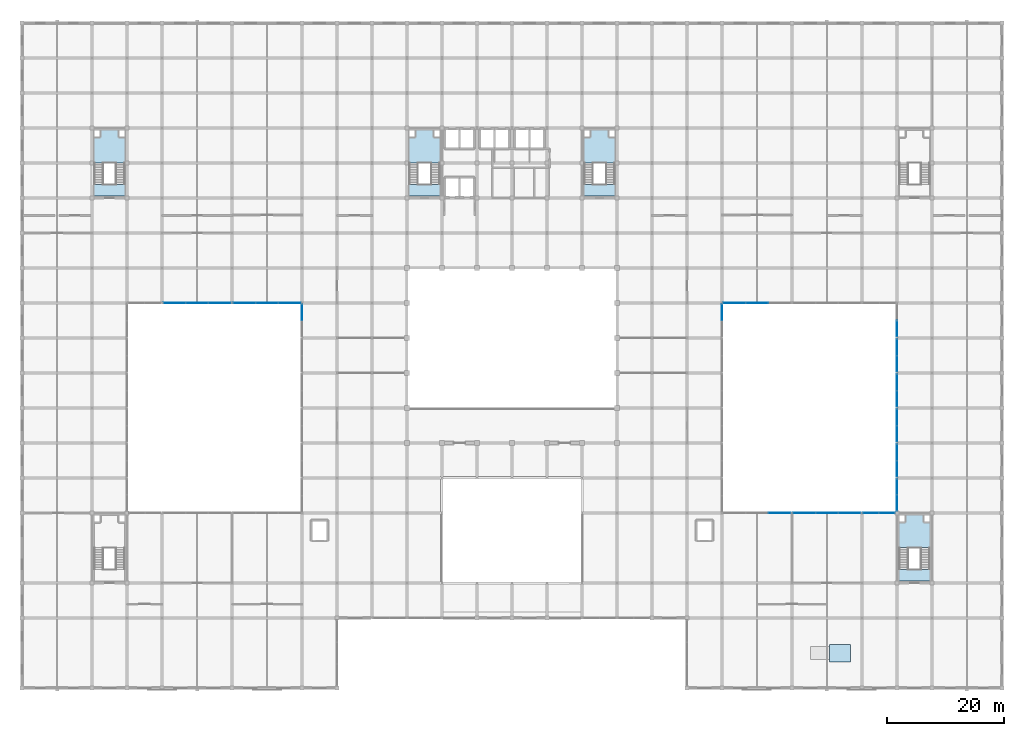
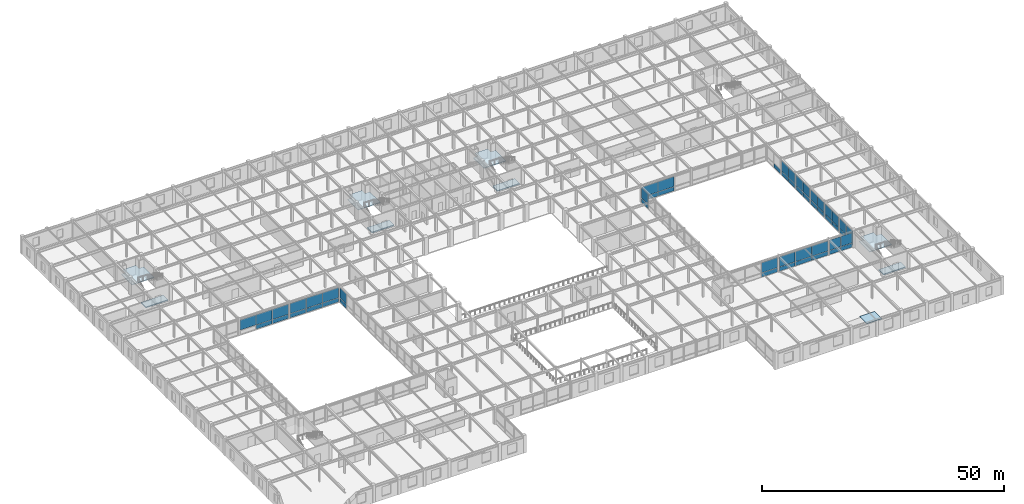
# One storey, part 95 of 108: 52 plates, 9 slabs, 18 elements without a shape of their own.
"""IFC4 building model written with IfcOpenShell, lengths in metres."""

from ifc_helpers import new_model, si_unit, direction, frame, origin, origin_2d, place, context, subcontext, project, spatial, polyline, rectangle, outline, extrude, material, layer, layer_set, type_object, element, aggregate, save


model = new_model("IFC4")

# Units and contexts
model_context = context("Model", 3, precision=1e-05, world=origin(), true_north=direction((0.0, 1.0)))
body_context = subcontext(model_context, "Body", "Model", "MODEL_VIEW")
ifc_project = project(units=[si_unit("LENGTHUNIT", "METRE"), si_unit("AREAUNIT", "SQUARE_METRE"), si_unit("VOLUMEUNIT", "CUBIC_METRE"), si_unit("PLANEANGLEUNIT", "RADIAN"), si_unit("MASSUNIT", "GRAM", prefix="KILO")], contexts=[model_context])

# Site, building, storey
site_placement = place(None, origin())
site = spatial("IfcSite", under=ifc_project, at=site_placement, CompositionType="ELEMENT")
building_placement = place(site_placement, origin())
building = spatial("IfcBuilding", under=site, at=building_placement, Name="Zlatovratsky Civic Hall", CompositionType="ELEMENT")
storey_placement = place(building_placement, frame((0.0, 0.0, 12.0)))
storey = spatial("IfcBuildingStorey", under=building, at=storey_placement, Name="L03", CompositionType="ELEMENT", Elevation=12.0)

# Curtain wall, plates
ifc_material_1 = material(Name="Anodised bronze aluminium", Category="aluminium")
ifc_layer_1 = layer(ifc_material_1, 0.159912109375)
ifc_layer_set_1 = layer_set([ifc_layer_1], Name="Anodised bronze aluminium")
curtain_wall_type_1 = type_object("IfcCurtainWallType", Name="CurtainWall_Bronze_11700x3770_11", PredefinedType="NOTDEFINED", material=ifc_layer_set_1)
curtain_wall_1_placement = place(storey_placement, origin())
curtain_wall_1 = element("IfcCurtainWall", 1, at=curtain_wall_1_placement, inside=storey, type_object=curtain_wall_type_1, Name="CW-055", PredefinedType="NOTDEFINED")
ifc_material_2 = material(Name="Low-E laminated double glazing", Category="glass")
ifc_layer_2 = layer(ifc_material_2, 0.02392578125)
ifc_layer_set_2 = layer_set([ifc_layer_2], Name="Low-E laminated double glazing")
plate_type = type_object("IfcPlateType", Name="Panel_CourtGlazing_24", PredefinedType="CURTAIN_PANEL", material=ifc_layer_set_2)
plate_1_placement = place(storey_placement, frame((26.11474609375, 66.0, 1.1298828125), z_axis=(0.0, 0.0, 1.0), x_axis=(1.0, 0.0, 0.0)))
plate_1 = element("IfcPlate", 2, at=plate_1_placement, type_object=plate_type, Name="CW-11 panel 1.2", PredefinedType="CURTAIN_PANEL", context=body_context, shape_type="SweptSolid", body=[
    extrude(rectangle(XDim=3.810302734375, YDim=0.02392578125, at=origin_2d()), origin(), (0.0, 0.0, 1.0), 2.580078125),
])
plate_2_placement = place(storey_placement, frame((30.0, 66.0, 0.06005859375), z_axis=(0.0, 0.0, 1.0), x_axis=(1.0, 0.0, 0.0)))
plate_2 = element("IfcPlate", 3, at=plate_2_placement, type_object=plate_type, Name="CW-11 panel 2.1", PredefinedType="CURTAIN_PANEL", context=body_context, shape_type="SweptSolid", body=[
    extrude(rectangle(XDim=3.84033203125, YDim=0.02392578125, at=origin_2d()), origin(), (0.0, 0.0, 1.0), 1.010009765625),
])
plate_3_placement = place(storey_placement, frame((30.0, 66.0, 1.1298828125), z_axis=(0.0, 0.0, 1.0), x_axis=(1.0, 0.0, 0.0)))
plate_3 = element("IfcPlate", 4, at=plate_3_placement, type_object=plate_type, Name="CW-11 panel 2.2", PredefinedType="CURTAIN_PANEL", context=body_context, shape_type="SweptSolid", body=[
    extrude(rectangle(XDim=3.84033203125, YDim=0.02392578125, at=origin_2d()), origin(), (0.0, 0.0, 1.0), 2.580078125),
])
plate_4_placement = place(storey_placement, frame((33.88525390625, 66.0, 0.06005859375), z_axis=(0.0, 0.0, 1.0), x_axis=(1.0, 0.0, 0.0)))
plate_4 = element("IfcPlate", 5, at=plate_4_placement, type_object=plate_type, Name="CW-11 panel 3.1", PredefinedType="CURTAIN_PANEL", context=body_context, shape_type="SweptSolid", body=[
    extrude(rectangle(XDim=3.810302734375, YDim=0.02392578125, at=origin_2d()), origin(), (0.0, 0.0, 1.0), 1.010009765625),
])
plate_5_placement = place(storey_placement, frame((33.88525390625, 66.0, 1.1298828125), z_axis=(0.0, 0.0, 1.0), x_axis=(1.0, 0.0, 0.0)))
plate_5 = element("IfcPlate", 6, at=plate_5_placement, type_object=plate_type, Name="CW-11 panel 3.2", PredefinedType="CURTAIN_PANEL", context=body_context, shape_type="SweptSolid", body=[
    extrude(rectangle(XDim=3.810302734375, YDim=0.02392578125, at=origin_2d()), origin(), (0.0, 0.0, 1.0), 2.580078125),
])
aggregate(curtain_wall_1, [plate_1, plate_2, plate_3, plate_4, plate_5])

curtain_wall_2_placement = place(storey_placement, origin())
curtain_wall_2 = element("IfcCurtainWall", 7, at=curtain_wall_2_placement, inside=storey, type_object=curtain_wall_type_1, Name="CW-056", PredefinedType="NOTDEFINED")
plate_6_placement = place(storey_placement, frame((38.11474609375, 66.0, 0.06005859375), z_axis=(0.0, 0.0, 1.0), x_axis=(1.0, 0.0, 0.0)))
plate_6 = element("IfcPlate", 8, at=plate_6_placement, type_object=plate_type, Name="CW-11 panel 1.1", PredefinedType="CURTAIN_PANEL", context=body_context, shape_type="SweptSolid", body=[
    extrude(rectangle(XDim=3.810302734375, YDim=0.02392578125, at=origin_2d()), origin(), (0.0, 0.0, 1.0), 1.010009765625),
])
plate_7_placement = place(storey_placement, frame((38.11474609375, 66.0, 1.1298828125), z_axis=(0.0, 0.0, 1.0), x_axis=(1.0, 0.0, 0.0)))
plate_7 = element("IfcPlate", 9, at=plate_7_placement, type_object=plate_type, Name="CW-11 panel 1.2", PredefinedType="CURTAIN_PANEL", context=body_context, shape_type="SweptSolid", body=[
    extrude(rectangle(XDim=3.810302734375, YDim=0.02392578125, at=origin_2d()), origin(), (0.0, 0.0, 1.0), 2.580078125),
])
plate_8_placement = place(storey_placement, frame((42.0, 66.0, 0.06005859375), z_axis=(0.0, 0.0, 1.0), x_axis=(1.0, 0.0, 0.0)))
plate_8 = element("IfcPlate", 10, at=plate_8_placement, type_object=plate_type, Name="CW-11 panel 2.1", PredefinedType="CURTAIN_PANEL", context=body_context, shape_type="SweptSolid", body=[
    extrude(rectangle(XDim=3.84033203125, YDim=0.02392578125, at=origin_2d()), origin(), (0.0, 0.0, 1.0), 1.010009765625),
])
plate_9_placement = place(storey_placement, frame((42.0, 66.0, 1.1298828125), z_axis=(0.0, 0.0, 1.0), x_axis=(1.0, 0.0, 0.0)))
plate_9 = element("IfcPlate", 11, at=plate_9_placement, type_object=plate_type, Name="CW-11 panel 2.2", PredefinedType="CURTAIN_PANEL", context=body_context, shape_type="SweptSolid", body=[
    extrude(rectangle(XDim=3.84033203125, YDim=0.02392578125, at=origin_2d()), origin(), (0.0, 0.0, 1.0), 2.580078125),
])
plate_10_placement = place(storey_placement, frame((45.88525390625, 66.0, 0.06005859375), z_axis=(0.0, 0.0, 1.0), x_axis=(1.0, 0.0, 0.0)))
plate_10 = element("IfcPlate", 12, at=plate_10_placement, type_object=plate_type, Name="CW-11 panel 3.1", PredefinedType="CURTAIN_PANEL", context=body_context, shape_type="SweptSolid", body=[
    extrude(rectangle(XDim=3.810302734375, YDim=0.02392578125, at=origin_2d()), origin(), (0.0, 0.0, 1.0), 1.010009765625),
])
plate_11_placement = place(storey_placement, frame((45.88525390625, 66.0, 1.1298828125), z_axis=(0.0, 0.0, 1.0), x_axis=(1.0, 0.0, 0.0)))
plate_11 = element("IfcPlate", 13, at=plate_11_placement, type_object=plate_type, Name="CW-11 panel 3.2", PredefinedType="CURTAIN_PANEL", context=body_context, shape_type="SweptSolid", body=[
    extrude(rectangle(XDim=3.810302734375, YDim=0.02392578125, at=origin_2d()), origin(), (0.0, 0.0, 1.0), 2.580078125),
])
aggregate(curtain_wall_2, [plate_6, plate_7, plate_8, plate_9, plate_10, plate_11])

ifc_layer_3 = layer(ifc_material_1, 0.159912109375)
ifc_layer_set_3 = layer_set([ifc_layer_3], Name="Anodised bronze aluminium")
curtain_wall_type_2 = type_object("IfcCurtainWallType", Name="CurtainWall_Bronze_5700x3770_12", PredefinedType="NOTDEFINED", material=ifc_layer_set_3)
curtain_wall_3_placement = place(storey_placement, origin())
curtain_wall_3 = element("IfcCurtainWall", 14, at=curtain_wall_3_placement, inside=storey, type_object=curtain_wall_type_2, Name="CW-068", PredefinedType="NOTDEFINED")
plate_12_placement = place(storey_placement, frame((48.0, 64.410888671875, 0.06005859375), z_axis=(0.0, 0.0, 1.0), x_axis=(0.0, 1.0, 0.0)))
plate_12 = element("IfcPlate", 15, at=plate_12_placement, type_object=plate_type, Name="CW-12 panel 2.1", PredefinedType="CURTAIN_PANEL", context=body_context, shape_type="SweptSolid", body=[
    extrude(rectangle(XDim=2.761962890625, YDim=0.02392578125, at=origin_2d()), origin(), (0.0, 0.0, 1.0), 1.010009765625),
])
plate_13_placement = place(storey_placement, frame((48.0, 64.410888671875, 1.1298828125), z_axis=(0.0, 0.0, 1.0), x_axis=(0.0, 1.0, 0.0)))
plate_13 = element("IfcPlate", 16, at=plate_13_placement, type_object=plate_type, Name="CW-12 panel 2.2", PredefinedType="CURTAIN_PANEL", context=body_context, shape_type="SweptSolid", body=[
    extrude(rectangle(XDim=2.761962890625, YDim=0.02392578125, at=origin_2d()), origin(), (0.0, 0.0, 1.0), 2.580078125),
])
aggregate(curtain_wall_3, [plate_12, plate_13])

curtain_wall_4_placement = place(storey_placement, origin())
curtain_wall_4 = element("IfcCurtainWall", 17, at=curtain_wall_4_placement, inside=storey, type_object=curtain_wall_type_1, Name="CW-069", PredefinedType="NOTDEFINED")
plate_14_placement = place(storey_placement, frame((129.88525390625, 30.0, 0.06005859375), z_axis=(0.0, 0.0, 1.0), x_axis=(1.0, 0.0, 0.0)))
plate_14 = element("IfcPlate", 18, at=plate_14_placement, type_object=plate_type, Name="CW-11 panel 3.1", PredefinedType="CURTAIN_PANEL", context=body_context, shape_type="SweptSolid", body=[
    extrude(rectangle(XDim=3.810302734375, YDim=0.02392578125, at=origin_2d()), origin(), (0.0, 0.0, 1.0), 1.010009765625),
])
plate_15_placement = place(storey_placement, frame((129.88525390625, 30.0, 1.1298828125), z_axis=(0.0, 0.0, 1.0), x_axis=(1.0, 0.0, 0.0)))
plate_15 = element("IfcPlate", 19, at=plate_15_placement, type_object=plate_type, Name="CW-11 panel 3.2", PredefinedType="CURTAIN_PANEL", context=body_context, shape_type="SweptSolid", body=[
    extrude(rectangle(XDim=3.810302734375, YDim=0.02392578125, at=origin_2d()), origin(), (0.0, 0.0, 1.0), 2.580078125),
])
aggregate(curtain_wall_4, [plate_14, plate_15])

curtain_wall_5_placement = place(storey_placement, origin())
curtain_wall_5 = element("IfcCurtainWall", 20, at=curtain_wall_5_placement, inside=storey, type_object=curtain_wall_type_1, Name="CW-070", PredefinedType="NOTDEFINED")
plate_16_placement = place(storey_placement, frame((134.11474609375, 30.0, 0.06005859375), z_axis=(0.0, 0.0, 1.0), x_axis=(1.0, 0.0, 0.0)))
plate_16 = element("IfcPlate", 21, at=plate_16_placement, type_object=plate_type, Name="CW-11 panel 1.1", PredefinedType="CURTAIN_PANEL", context=body_context, shape_type="SweptSolid", body=[
    extrude(rectangle(XDim=3.810302734375, YDim=0.02392578125, at=origin_2d()), origin(), (0.0, 0.0, 1.0), 1.010009765625),
])
plate_17_placement = place(storey_placement, frame((134.11474609375, 30.0, 1.1298828125), z_axis=(0.0, 0.0, 1.0), x_axis=(1.0, 0.0, 0.0)))
plate_17 = element("IfcPlate", 22, at=plate_17_placement, type_object=plate_type, Name="CW-11 panel 1.2", PredefinedType="CURTAIN_PANEL", context=body_context, shape_type="SweptSolid", body=[
    extrude(rectangle(XDim=3.810302734375, YDim=0.02392578125, at=origin_2d()), origin(), (0.0, 0.0, 1.0), 2.580078125),
])
plate_18_placement = place(storey_placement, frame((138.0, 30.0, 0.06005859375), z_axis=(0.0, 0.0, 1.0), x_axis=(1.0, 0.0, 0.0)))
plate_18 = element("IfcPlate", 23, at=plate_18_placement, type_object=plate_type, Name="CW-11 panel 2.1", PredefinedType="CURTAIN_PANEL", context=body_context, shape_type="SweptSolid", body=[
    extrude(rectangle(XDim=3.84033203125, YDim=0.02392578125, at=origin_2d()), origin(), (0.0, 0.0, 1.0), 1.010009765625),
])
plate_19_placement = place(storey_placement, frame((138.0, 30.0, 1.1298828125), z_axis=(0.0, 0.0, 1.0), x_axis=(1.0, 0.0, 0.0)))
plate_19 = element("IfcPlate", 24, at=plate_19_placement, type_object=plate_type, Name="CW-11 panel 2.2", PredefinedType="CURTAIN_PANEL", context=body_context, shape_type="SweptSolid", body=[
    extrude(rectangle(XDim=3.84033203125, YDim=0.02392578125, at=origin_2d()), origin(), (0.0, 0.0, 1.0), 2.580078125),
])
plate_20_placement = place(storey_placement, frame((141.88525390625, 30.0, 0.06005859375), z_axis=(0.0, 0.0, 1.0), x_axis=(1.0, 0.0, 0.0)))
plate_20 = element("IfcPlate", 25, at=plate_20_placement, type_object=plate_type, Name="CW-11 panel 3.1", PredefinedType="CURTAIN_PANEL", context=body_context, shape_type="SweptSolid", body=[
    extrude(rectangle(XDim=3.810302734375, YDim=0.02392578125, at=origin_2d()), origin(), (0.0, 0.0, 1.0), 1.010009765625),
])
plate_21_placement = place(storey_placement, frame((141.88525390625, 30.0, 1.1298828125), z_axis=(0.0, 0.0, 1.0), x_axis=(1.0, 0.0, 0.0)))
plate_21 = element("IfcPlate", 26, at=plate_21_placement, type_object=plate_type, Name="CW-11 panel 3.2", PredefinedType="CURTAIN_PANEL", context=body_context, shape_type="SweptSolid", body=[
    extrude(rectangle(XDim=3.810302734375, YDim=0.02392578125, at=origin_2d()), origin(), (0.0, 0.0, 1.0), 2.580078125),
])
aggregate(curtain_wall_5, [plate_16, plate_17, plate_18, plate_19, plate_20, plate_21])

ifc_layer_4 = layer(ifc_material_1, 0.159912109375)
ifc_layer_set_4 = layer_set([ifc_layer_4], Name="Anodised bronze aluminium")
curtain_wall_type_3 = type_object("IfcCurtainWallType", Name="CurtainWall_Bronze_5500x3770_10", PredefinedType="NOTDEFINED", material=ifc_layer_set_4)
curtain_wall_6_placement = place(storey_placement, origin())
curtain_wall_6 = element("IfcCurtainWall", 27, at=curtain_wall_6_placement, inside=storey, type_object=curtain_wall_type_3, Name="CW-071", PredefinedType="NOTDEFINED")
plate_22_placement = place(storey_placement, frame((145.53955078125, 30.0, 0.06005859375), z_axis=(0.0, 0.0, 1.0), x_axis=(1.0, 0.0, 0.0)))
plate_22 = element("IfcPlate", 28, at=plate_22_placement, type_object=plate_type, Name="CW-10 panel 1.1", PredefinedType="CURTAIN_PANEL", context=body_context, shape_type="SweptSolid", body=[
    extrude(rectangle(XDim=2.66015625, YDim=0.02392578125, at=origin_2d()), origin(), (0.0, 0.0, 1.0), 1.010009765625),
])
plate_23_placement = place(storey_placement, frame((145.53955078125, 30.0, 1.1298828125), z_axis=(0.0, 0.0, 1.0), x_axis=(1.0, 0.0, 0.0)))
plate_23 = element("IfcPlate", 29, at=plate_23_placement, type_object=plate_type, Name="CW-10 panel 1.2", PredefinedType="CURTAIN_PANEL", context=body_context, shape_type="SweptSolid", body=[
    extrude(rectangle(XDim=2.66015625, YDim=0.02392578125, at=origin_2d()), origin(), (0.0, 0.0, 1.0), 2.580078125),
])
plate_24_placement = place(storey_placement, frame((148.259765625, 30.0, 0.06005859375), z_axis=(0.0, 0.0, 1.0), x_axis=(1.0, 0.0, 0.0)))
plate_24 = element("IfcPlate", 30, at=plate_24_placement, type_object=plate_type, Name="CW-10 panel 2.1", PredefinedType="CURTAIN_PANEL", context=body_context, shape_type="SweptSolid", body=[
    extrude(rectangle(XDim=2.66015625, YDim=0.02392578125, at=origin_2d()), origin(), (0.0, 0.0, 1.0), 1.010009765625),
])
plate_25_placement = place(storey_placement, frame((148.259765625, 30.0, 1.1298828125), z_axis=(0.0, 0.0, 1.0), x_axis=(1.0, 0.0, 0.0)))
plate_25 = element("IfcPlate", 31, at=plate_25_placement, type_object=plate_type, Name="CW-10 panel 2.2", PredefinedType="CURTAIN_PANEL", context=body_context, shape_type="SweptSolid", body=[
    extrude(rectangle(XDim=2.66015625, YDim=0.02392578125, at=origin_2d()), origin(), (0.0, 0.0, 1.0), 2.580078125),
])
aggregate(curtain_wall_6, [plate_22, plate_23, plate_24, plate_25])

curtain_wall_7_placement = place(storey_placement, origin())
curtain_wall_7 = element("IfcCurtainWall", 32, at=curtain_wall_7_placement, inside=storey, type_object=curtain_wall_type_1, Name="CW-072", PredefinedType="NOTDEFINED")
plate_26_placement = place(storey_placement, frame((122.11474609375, 66.0, 0.06005859375), z_axis=(0.0, 0.0, 1.0), x_axis=(1.0, 0.0, 0.0)))
plate_26 = element("IfcPlate", 33, at=plate_26_placement, type_object=plate_type, Name="CW-11 panel 1.1", PredefinedType="CURTAIN_PANEL", context=body_context, shape_type="SweptSolid", body=[
    extrude(rectangle(XDim=3.810302734375, YDim=0.02392578125, at=origin_2d()), origin(), (0.0, 0.0, 1.0), 1.010009765625),
])
plate_27_placement = place(storey_placement, frame((122.11474609375, 66.0, 1.1298828125), z_axis=(0.0, 0.0, 1.0), x_axis=(1.0, 0.0, 0.0)))
plate_27 = element("IfcPlate", 34, at=plate_27_placement, type_object=plate_type, Name="CW-11 panel 1.2", PredefinedType="CURTAIN_PANEL", context=body_context, shape_type="SweptSolid", body=[
    extrude(rectangle(XDim=3.810302734375, YDim=0.02392578125, at=origin_2d()), origin(), (0.0, 0.0, 1.0), 2.580078125),
])
plate_28_placement = place(storey_placement, frame((126.0, 66.0, 0.06005859375), z_axis=(0.0, 0.0, 1.0), x_axis=(1.0, 0.0, 0.0)))
plate_28 = element("IfcPlate", 35, at=plate_28_placement, type_object=plate_type, Name="CW-11 panel 2.1", PredefinedType="CURTAIN_PANEL", context=body_context, shape_type="SweptSolid", body=[
    extrude(rectangle(XDim=3.84033203125, YDim=0.02392578125, at=origin_2d()), origin(), (0.0, 0.0, 1.0), 1.010009765625),
])
plate_29_placement = place(storey_placement, frame((126.0, 66.0, 1.1298828125), z_axis=(0.0, 0.0, 1.0), x_axis=(1.0, 0.0, 0.0)))
plate_29 = element("IfcPlate", 36, at=plate_29_placement, type_object=plate_type, Name="CW-11 panel 2.2", PredefinedType="CURTAIN_PANEL", context=body_context, shape_type="SweptSolid", body=[
    extrude(rectangle(XDim=3.84033203125, YDim=0.02392578125, at=origin_2d()), origin(), (0.0, 0.0, 1.0), 2.580078125),
])
aggregate(curtain_wall_7, [plate_26, plate_27, plate_28, plate_29])

curtain_wall_8_placement = place(storey_placement, origin())
curtain_wall_8 = element("IfcCurtainWall", 37, at=curtain_wall_8_placement, inside=storey, type_object=curtain_wall_type_2, Name="CW-080", PredefinedType="NOTDEFINED")
plate_30_placement = place(storey_placement, frame((120.0, 64.410888671875, 0.06005859375), z_axis=(0.0, 0.0, 1.0), x_axis=(0.0, 1.0, 0.0)))
plate_30 = element("IfcPlate", 38, at=plate_30_placement, type_object=plate_type, Name="CW-12 panel 2.1", PredefinedType="CURTAIN_PANEL", context=body_context, shape_type="SweptSolid", body=[
    extrude(rectangle(XDim=2.761962890625, YDim=0.02392578125, at=origin_2d()), origin(), (0.0, 0.0, 1.0), 1.010009765625),
])
plate_31_placement = place(storey_placement, frame((120.0, 64.410888671875, 1.1298828125), z_axis=(0.0, 0.0, 1.0), x_axis=(0.0, 1.0, 0.0)))
plate_31 = element("IfcPlate", 39, at=plate_31_placement, type_object=plate_type, Name="CW-12 panel 2.2", PredefinedType="CURTAIN_PANEL", context=body_context, shape_type="SweptSolid", body=[
    extrude(rectangle(XDim=2.761962890625, YDim=0.02392578125, at=origin_2d()), origin(), (0.0, 0.0, 1.0), 2.580078125),
])
aggregate(curtain_wall_8, [plate_30, plate_31])

curtain_wall_9_placement = place(storey_placement, origin())
curtain_wall_9 = element("IfcCurtainWall", 40, at=curtain_wall_9_placement, inside=storey, type_object=curtain_wall_type_3, Name="CW-081", PredefinedType="NOTDEFINED")
plate_32_placement = place(storey_placement, frame((150.0, 31.740478515625, 0.06005859375), z_axis=(0.0, 0.0, 1.0), x_axis=(0.0, 1.0, 0.0)))
plate_32 = element("IfcPlate", 41, at=plate_32_placement, type_object=plate_type, Name="CW-10 panel 1.1", PredefinedType="CURTAIN_PANEL", context=body_context, shape_type="SweptSolid", body=[
    extrude(rectangle(XDim=2.660888671875, YDim=0.02392578125, at=origin_2d()), origin(), (0.0, 0.0, 1.0), 1.010009765625),
])
plate_33_placement = place(storey_placement, frame((150.0, 31.740478515625, 1.1298828125), z_axis=(0.0, 0.0, 1.0), x_axis=(0.0, 1.0, 0.0)))
plate_33 = element("IfcPlate", 42, at=plate_33_placement, type_object=plate_type, Name="CW-10 panel 1.2", PredefinedType="CURTAIN_PANEL", context=body_context, shape_type="SweptSolid", body=[
    extrude(rectangle(XDim=2.660888671875, YDim=0.02392578125, at=origin_2d()), origin(), (0.0, 0.0, 1.0), 2.580078125),
])
plate_34_placement = place(storey_placement, frame((150.0, 34.46142578125, 0.06005859375), z_axis=(0.0, 0.0, 1.0), x_axis=(0.0, 1.0, 0.0)))
plate_34 = element("IfcPlate", 43, at=plate_34_placement, type_object=plate_type, Name="CW-10 panel 2.1", PredefinedType="CURTAIN_PANEL", context=body_context, shape_type="SweptSolid", body=[
    extrude(rectangle(XDim=2.660888671875, YDim=0.02392578125, at=origin_2d()), origin(), (0.0, 0.0, 1.0), 1.010009765625),
])
plate_35_placement = place(storey_placement, frame((150.0, 34.46142578125, 1.1298828125), z_axis=(0.0, 0.0, 1.0), x_axis=(0.0, 1.0, 0.0)))
plate_35 = element("IfcPlate", 44, at=plate_35_placement, type_object=plate_type, Name="CW-10 panel 2.2", PredefinedType="CURTAIN_PANEL", context=body_context, shape_type="SweptSolid", body=[
    extrude(rectangle(XDim=2.660888671875, YDim=0.02392578125, at=origin_2d()), origin(), (0.0, 0.0, 1.0), 2.580078125),
])
aggregate(curtain_wall_9, [plate_32, plate_33, plate_34, plate_35])

curtain_wall_10_placement = place(storey_placement, origin())
curtain_wall_10 = element("IfcCurtainWall", 45, at=curtain_wall_10_placement, inside=storey, type_object=curtain_wall_type_2, Name="CW-082", PredefinedType="NOTDEFINED")
plate_36_placement = place(storey_placement, frame((150.0, 37.589111328125, 0.06005859375), z_axis=(0.0, 0.0, 1.0), x_axis=(0.0, 1.0, 0.0)))
plate_36 = element("IfcPlate", 46, at=plate_36_placement, type_object=plate_type, Name="CW-12 panel 1.1", PredefinedType="CURTAIN_PANEL", context=body_context, shape_type="SweptSolid", body=[
    extrude(rectangle(XDim=2.761962890625, YDim=0.02392578125, at=origin_2d()), origin(), (0.0, 0.0, 1.0), 1.010009765625),
])
plate_37_placement = place(storey_placement, frame((150.0, 37.589111328125, 1.1298828125), z_axis=(0.0, 0.0, 1.0), x_axis=(0.0, 1.0, 0.0)))
plate_37 = element("IfcPlate", 47, at=plate_37_placement, type_object=plate_type, Name="CW-12 panel 1.2", PredefinedType="CURTAIN_PANEL", context=body_context, shape_type="SweptSolid", body=[
    extrude(rectangle(XDim=2.761962890625, YDim=0.02392578125, at=origin_2d()), origin(), (0.0, 0.0, 1.0), 2.580078125),
])
plate_38_placement = place(storey_placement, frame((150.0, 40.410888671875, 0.06005859375), z_axis=(0.0, 0.0, 1.0), x_axis=(0.0, 1.0, 0.0)))
plate_38 = element("IfcPlate", 48, at=plate_38_placement, type_object=plate_type, Name="CW-12 panel 2.1", PredefinedType="CURTAIN_PANEL", context=body_context, shape_type="SweptSolid", body=[
    extrude(rectangle(XDim=2.761962890625, YDim=0.02392578125, at=origin_2d()), origin(), (0.0, 0.0, 1.0), 1.010009765625),
])
plate_39_placement = place(storey_placement, frame((150.0, 40.410888671875, 1.1298828125), z_axis=(0.0, 0.0, 1.0), x_axis=(0.0, 1.0, 0.0)))
plate_39 = element("IfcPlate", 49, at=plate_39_placement, type_object=plate_type, Name="CW-12 panel 2.2", PredefinedType="CURTAIN_PANEL", context=body_context, shape_type="SweptSolid", body=[
    extrude(rectangle(XDim=2.761962890625, YDim=0.02392578125, at=origin_2d()), origin(), (0.0, 0.0, 1.0), 2.580078125),
])
aggregate(curtain_wall_10, [plate_36, plate_37, plate_38, plate_39])

curtain_wall_11_placement = place(storey_placement, origin())
curtain_wall_11 = element("IfcCurtainWall", 50, at=curtain_wall_11_placement, inside=storey, type_object=curtain_wall_type_2, Name="CW-083", PredefinedType="NOTDEFINED")
plate_40_placement = place(storey_placement, frame((150.0, 43.589111328125, 0.06005859375), z_axis=(0.0, 0.0, 1.0), x_axis=(0.0, 1.0, 0.0)))
plate_40 = element("IfcPlate", 51, at=plate_40_placement, type_object=plate_type, Name="CW-12 panel 1.1", PredefinedType="CURTAIN_PANEL", context=body_context, shape_type="SweptSolid", body=[
    extrude(rectangle(XDim=2.761962890625, YDim=0.02392578125, at=origin_2d()), origin(), (0.0, 0.0, 1.0), 1.010009765625),
])
plate_41_placement = place(storey_placement, frame((150.0, 43.589111328125, 1.1298828125), z_axis=(0.0, 0.0, 1.0), x_axis=(0.0, 1.0, 0.0)))
plate_41 = element("IfcPlate", 52, at=plate_41_placement, type_object=plate_type, Name="CW-12 panel 1.2", PredefinedType="CURTAIN_PANEL", context=body_context, shape_type="SweptSolid", body=[
    extrude(rectangle(XDim=2.761962890625, YDim=0.02392578125, at=origin_2d()), origin(), (0.0, 0.0, 1.0), 2.580078125),
])
plate_42_placement = place(storey_placement, frame((150.0, 46.410888671875, 0.06005859375), z_axis=(0.0, 0.0, 1.0), x_axis=(0.0, 1.0, 0.0)))
plate_42 = element("IfcPlate", 53, at=plate_42_placement, type_object=plate_type, Name="CW-12 panel 2.1", PredefinedType="CURTAIN_PANEL", context=body_context, shape_type="SweptSolid", body=[
    extrude(rectangle(XDim=2.761962890625, YDim=0.02392578125, at=origin_2d()), origin(), (0.0, 0.0, 1.0), 1.010009765625),
])
plate_43_placement = place(storey_placement, frame((150.0, 46.410888671875, 1.1298828125), z_axis=(0.0, 0.0, 1.0), x_axis=(0.0, 1.0, 0.0)))
plate_43 = element("IfcPlate", 54, at=plate_43_placement, type_object=plate_type, Name="CW-12 panel 2.2", PredefinedType="CURTAIN_PANEL", context=body_context, shape_type="SweptSolid", body=[
    extrude(rectangle(XDim=2.761962890625, YDim=0.02392578125, at=origin_2d()), origin(), (0.0, 0.0, 1.0), 2.580078125),
])
aggregate(curtain_wall_11, [plate_40, plate_41, plate_42, plate_43])

curtain_wall_12_placement = place(storey_placement, origin())
curtain_wall_12 = element("IfcCurtainWall", 55, at=curtain_wall_12_placement, inside=storey, type_object=curtain_wall_type_2, Name="CW-084", PredefinedType="NOTDEFINED")
plate_44_placement = place(storey_placement, frame((150.0, 49.589111328125, 0.06005859375), z_axis=(0.0, 0.0, 1.0), x_axis=(0.0, 1.0, 0.0)))
plate_44 = element("IfcPlate", 56, at=plate_44_placement, type_object=plate_type, Name="CW-12 panel 1.1", PredefinedType="CURTAIN_PANEL", context=body_context, shape_type="SweptSolid", body=[
    extrude(rectangle(XDim=2.761962890625, YDim=0.02392578125, at=origin_2d()), origin(), (0.0, 0.0, 1.0), 1.010009765625),
])
plate_45_placement = place(storey_placement, frame((150.0, 49.589111328125, 1.1298828125), z_axis=(0.0, 0.0, 1.0), x_axis=(0.0, 1.0, 0.0)))
plate_45 = element("IfcPlate", 57, at=plate_45_placement, type_object=plate_type, Name="CW-12 panel 1.2", PredefinedType="CURTAIN_PANEL", context=body_context, shape_type="SweptSolid", body=[
    extrude(rectangle(XDim=2.761962890625, YDim=0.02392578125, at=origin_2d()), origin(), (0.0, 0.0, 1.0), 2.580078125),
])
plate_46_placement = place(storey_placement, frame((150.0, 52.410888671875, 0.06005859375), z_axis=(0.0, 0.0, 1.0), x_axis=(0.0, 1.0, 0.0)))
plate_46 = element("IfcPlate", 58, at=plate_46_placement, type_object=plate_type, Name="CW-12 panel 2.1", PredefinedType="CURTAIN_PANEL", context=body_context, shape_type="SweptSolid", body=[
    extrude(rectangle(XDim=2.761962890625, YDim=0.02392578125, at=origin_2d()), origin(), (0.0, 0.0, 1.0), 1.010009765625),
])
plate_47_placement = place(storey_placement, frame((150.0, 52.410888671875, 1.1298828125), z_axis=(0.0, 0.0, 1.0), x_axis=(0.0, 1.0, 0.0)))
plate_47 = element("IfcPlate", 59, at=plate_47_placement, type_object=plate_type, Name="CW-12 panel 2.2", PredefinedType="CURTAIN_PANEL", context=body_context, shape_type="SweptSolid", body=[
    extrude(rectangle(XDim=2.761962890625, YDim=0.02392578125, at=origin_2d()), origin(), (0.0, 0.0, 1.0), 2.580078125),
])
aggregate(curtain_wall_12, [plate_44, plate_45, plate_46, plate_47])

curtain_wall_13_placement = place(storey_placement, origin())
curtain_wall_13 = element("IfcCurtainWall", 60, at=curtain_wall_13_placement, inside=storey, type_object=curtain_wall_type_2, Name="CW-085", PredefinedType="NOTDEFINED")
plate_48_placement = place(storey_placement, frame((150.0, 55.589111328125, 0.06005859375), z_axis=(0.0, 0.0, 1.0), x_axis=(0.0, 1.0, 0.0)))
plate_48 = element("IfcPlate", 61, at=plate_48_placement, type_object=plate_type, Name="CW-12 panel 1.1", PredefinedType="CURTAIN_PANEL", context=body_context, shape_type="SweptSolid", body=[
    extrude(rectangle(XDim=2.761962890625, YDim=0.02392578125, at=origin_2d()), origin(), (0.0, 0.0, 1.0), 1.010009765625),
])
plate_49_placement = place(storey_placement, frame((150.0, 55.589111328125, 1.1298828125), z_axis=(0.0, 0.0, 1.0), x_axis=(0.0, 1.0, 0.0)))
plate_49 = element("IfcPlate", 62, at=plate_49_placement, type_object=plate_type, Name="CW-12 panel 1.2", PredefinedType="CURTAIN_PANEL", context=body_context, shape_type="SweptSolid", body=[
    extrude(rectangle(XDim=2.761962890625, YDim=0.02392578125, at=origin_2d()), origin(), (0.0, 0.0, 1.0), 2.580078125),
])
plate_50_placement = place(storey_placement, frame((150.0, 58.410888671875, 0.06005859375), z_axis=(0.0, 0.0, 1.0), x_axis=(0.0, 1.0, 0.0)))
plate_50 = element("IfcPlate", 63, at=plate_50_placement, type_object=plate_type, Name="CW-12 panel 2.1", PredefinedType="CURTAIN_PANEL", context=body_context, shape_type="SweptSolid", body=[
    extrude(rectangle(XDim=2.761962890625, YDim=0.02392578125, at=origin_2d()), origin(), (0.0, 0.0, 1.0), 1.010009765625),
])
plate_51_placement = place(storey_placement, frame((150.0, 58.410888671875, 1.1298828125), z_axis=(0.0, 0.0, 1.0), x_axis=(0.0, 1.0, 0.0)))
plate_51 = element("IfcPlate", 64, at=plate_51_placement, type_object=plate_type, Name="CW-12 panel 2.2", PredefinedType="CURTAIN_PANEL", context=body_context, shape_type="SweptSolid", body=[
    extrude(rectangle(XDim=2.761962890625, YDim=0.02392578125, at=origin_2d()), origin(), (0.0, 0.0, 1.0), 2.580078125),
])
aggregate(curtain_wall_13, [plate_48, plate_49, plate_50, plate_51])

# Curtain wall, plate
curtain_wall_14_placement = place(storey_placement, origin())
curtain_wall_14 = element("IfcCurtainWall", 65, at=curtain_wall_14_placement, inside=storey, type_object=curtain_wall_type_2, Name="CW-086", PredefinedType="NOTDEFINED")
plate_52_placement = place(storey_placement, frame((150.0, 61.589111328125, 0.06005859375), z_axis=(0.0, 0.0, 1.0), x_axis=(0.0, 1.0, 0.0)))
plate_52 = element("IfcPlate", 66, at=plate_52_placement, type_object=plate_type, Name="CW-12 panel 1.1", PredefinedType="CURTAIN_PANEL", context=body_context, shape_type="SweptSolid", body=[
    extrude(rectangle(XDim=2.761962890625, YDim=0.02392578125, at=origin_2d()), origin(), (0.0, 0.0, 1.0), 1.010009765625),
])
aggregate(curtain_wall_14, [plate_52])

# Slabs
ifc_material_3 = material(Name="Concrete C30/37 (B35)", Category="concrete")
ifc_layer_5 = layer(ifc_material_3, 0.239990234375)
ifc_layer_set_5 = layer_set([ifc_layer_5], Name="Concrete C30/37 (B35)")
slab_type_1 = type_object("IfcSlabType", Name="Slab_CivicPodiumFloor_240", PredefinedType="FLOOR", material=ifc_layer_set_5)
slab_1_placement = place(storey_placement, frame((0.0, 0.0, -0.239990234375)))
element("IfcSlab", 67, at=slab_1_placement, inside=storey, type_object=slab_type_1, Name="SL-031", PredefinedType="FLOOR", context=body_context, shape_type="SweptSolid", body=[
    extrude(outline(polyline([(66.35009765625, 84.35009765625), (71.64990234375, 84.35009765625), (71.64990234375, 86.35009765625), (66.35009765625, 86.35009765625), (66.35009765625, 84.35009765625)])), origin(), (0.0, 0.0, 1.0), 0.239990234375),
])
slab_2_placement = place(storey_placement, frame((0.0, 0.0, -0.239990234375)))
element("IfcSlab", 68, at=slab_2_placement, inside=storey, type_object=slab_type_1, Name="SL-032", PredefinedType="FLOOR", context=body_context, shape_type="SweptSolid", body=[
    extrude(outline(polyline([(96.35009765625, 84.35009765625), (101.64990234375, 84.35009765625), (101.64990234375, 86.35009765625), (96.35009765625, 86.35009765625), (96.35009765625, 84.35009765625)])), origin(), (0.0, 0.0, 1.0), 0.239990234375),
])
slab_3_placement = place(storey_placement, frame((0.0, 0.0, -0.239990234375)))
element("IfcSlab", 69, at=slab_3_placement, inside=storey, type_object=slab_type_1, Name="SL-034", PredefinedType="FLOOR", context=body_context, shape_type="SweptSolid", body=[
    extrude(outline(polyline([(150.35009765625, 18.35009765625), (155.64990234375, 18.35009765625), (155.64990234375, 20.35009765625), (150.35009765625, 20.35009765625), (150.35009765625, 18.35009765625)])), origin(), (0.0, 0.0, 1.0), 0.239990234375),
])
slab_4_placement = place(storey_placement, frame((0.0, 0.0, -0.239990234375)))
element("IfcSlab", 70, at=slab_4_placement, inside=storey, type_object=slab_type_1, Name="SL-035", PredefinedType="FLOOR", context=body_context, shape_type="SweptSolid", body=[
    extrude(outline(polyline([(12.35009765625, 84.35009765625), (17.64990234375, 84.35009765625), (17.64990234375, 86.35009765625), (12.35009765625, 86.35009765625), (12.35009765625, 84.35009765625)])), origin(), (0.0, 0.0, 1.0), 0.239990234375),
])

# Stair, slab
stair_type_1 = type_object("IfcStairType", Name="Stair_HALF_28R_1550W_03", PredefinedType="HALF_TURN_STAIR", material=ifc_material_3)
stair_1_placement = place(storey_placement, origin())
stair_1 = element("IfcStair", 71, at=stair_1_placement, inside=storey, type_object=stair_type_1, Name="ST-004", PredefinedType="HALF_TURN_STAIR")
ifc_layer_6 = layer(ifc_material_3, 0.179931640625)
ifc_layer_set_6 = layer_set([ifc_layer_6], Name="Concrete C30/37 (B35)")
slab_type_2 = type_object("IfcSlabType", Name="Slab_StairLanding_180", PredefinedType="LANDING", material=ifc_layer_set_6)
slab_5_placement = place(storey_placement, frame((0.0, 0.0, 2.070068359375)))
slab_5 = element("IfcSlab", 72, at=slab_5_placement, type_object=slab_type_2, Name="SL-LD-04", PredefinedType="LANDING", context=body_context, shape_type="SweptSolid", body=[
    extrude(outline(polyline([(66.35009765625, 90.054931640625), (71.64990234375, 90.054931640625), (71.64990234375, 94.39990234375), (70.550048828125, 94.39990234375), (70.550048828125, 95.64990234375), (67.449951171875, 95.64990234375), (67.449951171875, 94.39990234375), (66.35009765625, 94.39990234375), (66.35009765625, 90.054931640625)])), origin(), (0.0, 0.0, 1.0), 0.179931640625),
])
aggregate(stair_1, [slab_5])

stair_2_placement = place(storey_placement, origin())
stair_2 = element("IfcStair", 73, at=stair_2_placement, inside=storey, type_object=stair_type_1, Name="ST-023", PredefinedType="HALF_TURN_STAIR")
slab_6_placement = place(storey_placement, frame((0.0, 0.0, 2.070068359375)))
slab_6 = element("IfcSlab", 74, at=slab_6_placement, type_object=slab_type_2, Name="SL-LD-23", PredefinedType="LANDING", context=body_context, shape_type="SweptSolid", body=[
    extrude(outline(polyline([(96.35009765625, 90.054931640625), (101.64990234375, 90.054931640625), (101.64990234375, 94.39990234375), (100.550048828125, 94.39990234375), (100.550048828125, 95.64990234375), (97.449951171875, 95.64990234375), (97.449951171875, 94.39990234375), (96.35009765625, 94.39990234375), (96.35009765625, 90.054931640625)])), origin(), (0.0, 0.0, 1.0), 0.179931640625),
])
aggregate(stair_2, [slab_6])

stair_type_2 = type_object("IfcStairType", Name="Stair_HALF_28R_1600W_08", PredefinedType="HALF_TURN_STAIR", material=ifc_material_3)
stair_3_placement = place(storey_placement, origin())
stair_3 = element("IfcStair", 75, at=stair_3_placement, inside=storey, type_object=stair_type_2, Name="ST-045", PredefinedType="HALF_TURN_STAIR")
slab_7_placement = place(storey_placement, frame((0.0, 0.0, 2.070068359375)))
slab_7 = element("IfcSlab", 76, at=slab_7_placement, type_object=slab_type_2, Name="SL-LD-45", PredefinedType="LANDING", context=body_context, shape_type="SweptSolid", body=[
    extrude(outline(polyline([(150.35009765625, 24.054931640625), (155.64990234375, 24.054931640625), (155.64990234375, 28.39990234375), (154.550048828125, 28.39990234375), (154.550048828125, 29.64990234375), (151.449951171875, 29.64990234375), (151.449951171875, 28.39990234375), (150.35009765625, 28.39990234375), (150.35009765625, 24.054931640625)])), origin(), (0.0, 0.0, 1.0), 0.179931640625),
])
aggregate(stair_3, [slab_7])

stair_4_placement = place(storey_placement, origin())
stair_4 = element("IfcStair", 77, at=stair_4_placement, inside=storey, type_object=stair_type_2, Name="ST-049", PredefinedType="HALF_TURN_STAIR")
slab_8_placement = place(storey_placement, frame((0.0, 0.0, 2.070068359375)))
slab_8 = element("IfcSlab", 78, at=slab_8_placement, type_object=slab_type_2, Name="SL-LD-49", PredefinedType="LANDING", context=body_context, shape_type="SweptSolid", body=[
    extrude(outline(polyline([(12.35009765625, 90.054931640625), (17.64990234375, 90.054931640625), (17.64990234375, 94.39990234375), (16.550048828125, 94.39990234375), (16.550048828125, 95.64990234375), (13.449951171875, 95.64990234375), (13.449951171875, 94.39990234375), (12.35009765625, 94.39990234375), (12.35009765625, 90.054931640625)])), origin(), (0.0, 0.0, 1.0), 0.179931640625),
])
aggregate(stair_4, [slab_8])

# Slab
ifc_layer_7 = layer(ifc_material_3, 0.159912109375)
ifc_layer_set_7 = layer_set([ifc_layer_7], Name="Concrete C30/37 (B35)")
slab_type_3 = type_object("IfcSlabType", Name="Slab_TowerCompositeFloor_160", PredefinedType="FLOOR", material=ifc_layer_set_7)
slab_9_placement = place(storey_placement, origin())
element("IfcSlab", 79, at=slab_9_placement, inside=storey, type_object=slab_type_3, Name="SL-RAMP-DAIS-05", PredefinedType="FLOOR", context=body_context, shape_type="SweptSolid", body=[
    extrude(outline(polyline([(138.39990234375, 4.5), (142.0, 4.5), (142.0, 7.5), (138.39990234375, 7.5), (138.39990234375, 4.5)])), origin(), (0.0, 0.0, 1.0), 0.159912109375),
])

save(model, "model.ifc")
